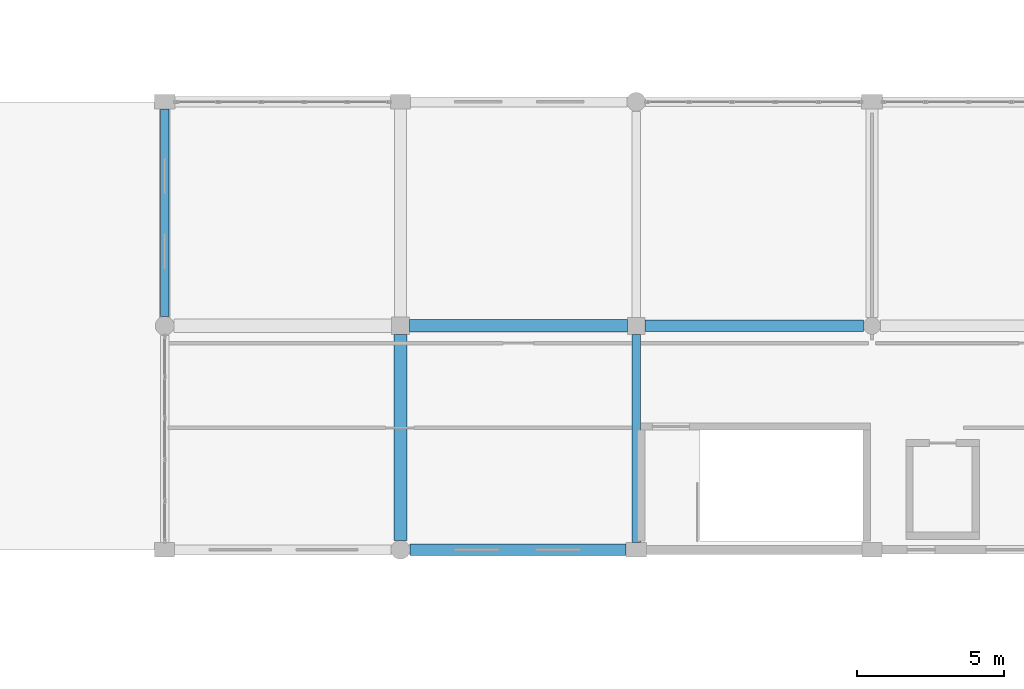
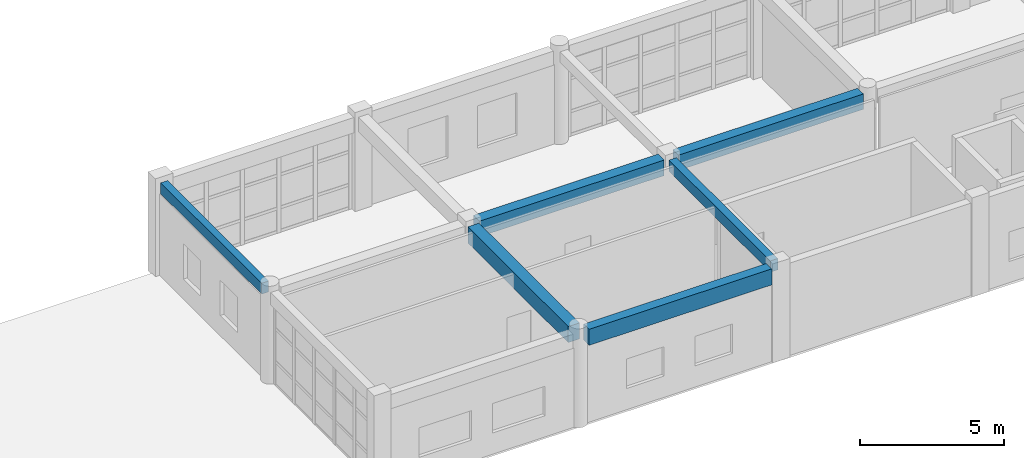
# One storey, part 34 of 121: 6 beams.
"""IFC4 building model written with IfcOpenShell, lengths in metres."""

from ifc_helpers import new_model, si_unit, direction, frame, origin, origin_2d, place, context, subcontext, project, spatial, rectangle, extrude, material, material_profile, profile_set, type_object, element, save


model = new_model("IFC4")

# Units and contexts
model_context = context("Model", 3, precision=1e-05, world=origin(), true_north=direction((0.0, 1.0)))
body_context = subcontext(model_context, "Body", "Model", "MODEL_VIEW")
ifc_project = project(units=[si_unit("LENGTHUNIT", "METRE"), si_unit("AREAUNIT", "SQUARE_METRE"), si_unit("VOLUMEUNIT", "CUBIC_METRE"), si_unit("PLANEANGLEUNIT", "RADIAN"), si_unit("MASSUNIT", "GRAM", prefix="KILO")], contexts=[model_context])

# Site, building, storey
site_placement = place(None, origin())
site = spatial("IfcSite", under=ifc_project, at=site_placement, CompositionType="ELEMENT")
building_placement = place(site_placement, origin())
building = spatial("IfcBuilding", under=site, at=building_placement, Name="Kharva Crest Polytechnic", CompositionType="ELEMENT")
storey_placement = place(building_placement, frame((0.0, 0.0, 13.199951171875)))
storey = spatial("IfcBuildingStorey", under=building, at=storey_placement, Name="L03", CompositionType="ELEMENT", Elevation=13.199951171875)

# Beams
ifc_material = material(Name="Concrete C35/45", Category="concrete")
ifc_material_profile_1 = material_profile(ifc_material, rectangle(XDim=0.300048828125, YDim=0.47998046875, at=origin_2d()), Name="RECT 300 X 480")
ifc_profile_set_1 = profile_set([ifc_material_profile_1], Name="Concrete C35/45")
beam_type_1 = type_object("IfcBeamType", Name="BM-RC-300X480", PredefinedType="BEAM", material=ifc_profile_set_1)
beam_1_placement = place(storey_placement, frame((88.0, 7.85009765625, 3.719970703125), z_axis=(0.0, 1.0, 0.0), x_axis=(-1.0, 0.0, 0.0)))
element("IfcBeam", 1, at=beam_1_placement, inside=storey, type_object=beam_type_1, Name="L03 Girder 12/B-C", PredefinedType="BEAM", context=body_context, shape_type="SweptSolid", body=[
    extrude(rectangle(XDim=0.300048828125, YDim=0.47998046875, at=origin_2d()), origin(), (0.0, 0.0, 1.0), 7.059814453125),
])
ifc_material_profile_2 = material_profile(ifc_material, rectangle(XDim=0.39990234375, YDim=0.64990234375, at=origin_2d()), Name="RECT 400 X 650")
ifc_profile_set_2 = profile_set([ifc_material_profile_2], Name="Concrete C35/45")
beam_type_2 = type_object("IfcBeamType", Name="BM-RC-400X650", PredefinedType="BEAM", material=ifc_profile_set_2)
beam_2_placement = place(storey_placement, frame((88.2900390625, 15.199951171875, 3.635009765625), z_axis=(1.0, 0.0, 0.0), x_axis=(0.0, 1.0, 0.0)))
element("IfcBeam", 2, at=beam_2_placement, inside=storey, type_object=beam_type_2, Name="L03 Beam C/12-13", PredefinedType="BEAM", context=body_context, shape_type="SweptSolid", body=[
    extrude(rectangle(XDim=0.39990234375, YDim=0.64990234375, at=origin_2d()), origin(), (0.0, 0.0, 1.0), 7.419921875),
])
ifc_material_profile_3 = material_profile(ifc_material, rectangle(XDim=0.419921875, YDim=0.659912109375, at=origin_2d()), Name="RECT 420 X 660")
ifc_profile_set_3 = profile_set([ifc_material_profile_3], Name="Concrete C35/45")
beam_type_3 = type_object("IfcBeamType", Name="BM-RC-420X660", PredefinedType="BEAM", material=ifc_profile_set_3)
beam_3_placement = place(storey_placement, frame((80.300048828125, 15.199951171875, 3.630126953125), z_axis=(1.0, 0.0, 0.0), x_axis=(0.0, 1.0, 0.0)))
element("IfcBeam", 3, at=beam_3_placement, inside=storey, type_object=beam_type_3, Name="L03 Beam C/11-12", PredefinedType="BEAM", context=body_context, shape_type="SweptSolid", body=[
    extrude(rectangle(XDim=0.419921875, YDim=0.659912109375, at=origin_2d()), origin(), (0.0, 0.0, 1.0), 7.409912109375),
])
ifc_material_profile_4 = material_profile(ifc_material, rectangle(XDim=0.449951171875, YDim=0.679931640625, at=origin_2d()), Name="RECT 450 X 680")
ifc_profile_set_4 = profile_set([ifc_material_profile_4], Name="Concrete C35/45")
beam_type_4 = type_object("IfcBeamType", Name="BM-RC-450X680", PredefinedType="BEAM", material=ifc_profile_set_4)
beam_4_placement = place(storey_placement, frame((80.0, 7.919921875, 3.6201171875), z_axis=(0.0, 1.0, 0.0), x_axis=(-1.0, 0.0, 0.0)))
element("IfcBeam", 4, at=beam_4_placement, inside=storey, type_object=beam_type_4, Name="L03 Girder 11/B-C", PredefinedType="BEAM", context=body_context, shape_type="SweptSolid", body=[
    extrude(rectangle(XDim=0.449951171875, YDim=0.679931640625, at=origin_2d()), origin(), (0.0, 0.0, 1.0), 6.97998046875),
])
ifc_material_profile_5 = material_profile(ifc_material, rectangle(XDim=0.280029296875, YDim=0.4599609375, at=origin_2d()), Name="RECT 280 X 460")
ifc_profile_set_5 = profile_set([ifc_material_profile_5], Name="Concrete C35/45")
beam_type_5 = type_object("IfcBeamType", Name="SP-RC-280X460", PredefinedType="SPANDREL", material=ifc_profile_set_5)
beam_5_placement = place(storey_placement, frame((72.0, 15.52001953125, 3.72998046875), z_axis=(0.0, 1.0, 0.0), x_axis=(-1.0, 0.0, 0.0)))
element("IfcBeam", 5, at=beam_5_placement, inside=storey, type_object=beam_type_5, Name="L03 Girder 10/C-D", PredefinedType="SPANDREL", context=body_context, shape_type="SweptSolid", body=[
    extrude(rectangle(XDim=0.280029296875, YDim=0.4599609375, at=origin_2d()), origin(), (0.0, 0.0, 1.0), 7.030029296875),
])
ifc_material_profile_6 = material_profile(ifc_material, rectangle(XDim=0.3798828125, YDim=0.679931640625, at=origin_2d()), Name="RECT 380 X 680")
ifc_profile_set_6 = profile_set([ifc_material_profile_6], Name="Concrete C35/45")
beam_type_6 = type_object("IfcBeamType", Name="SP-RC-380X680", PredefinedType="SPANDREL", material=ifc_profile_set_6)
beam_6_placement = place(storey_placement, frame((80.320068359375, 7.60009765625, 3.6201171875), z_axis=(1.0, 0.0, 0.0), x_axis=(0.0, 1.0, 0.0)))
element("IfcBeam", 6, at=beam_6_placement, inside=storey, type_object=beam_type_6, Name="L03 Beam B/11-12", PredefinedType="SPANDREL", context=body_context, shape_type="SweptSolid", body=[
    extrude(rectangle(XDim=0.3798828125, YDim=0.679931640625, at=origin_2d()), origin(), (0.0, 0.0, 1.0), 7.329833984375),
])

save(model, "model.ifc")
